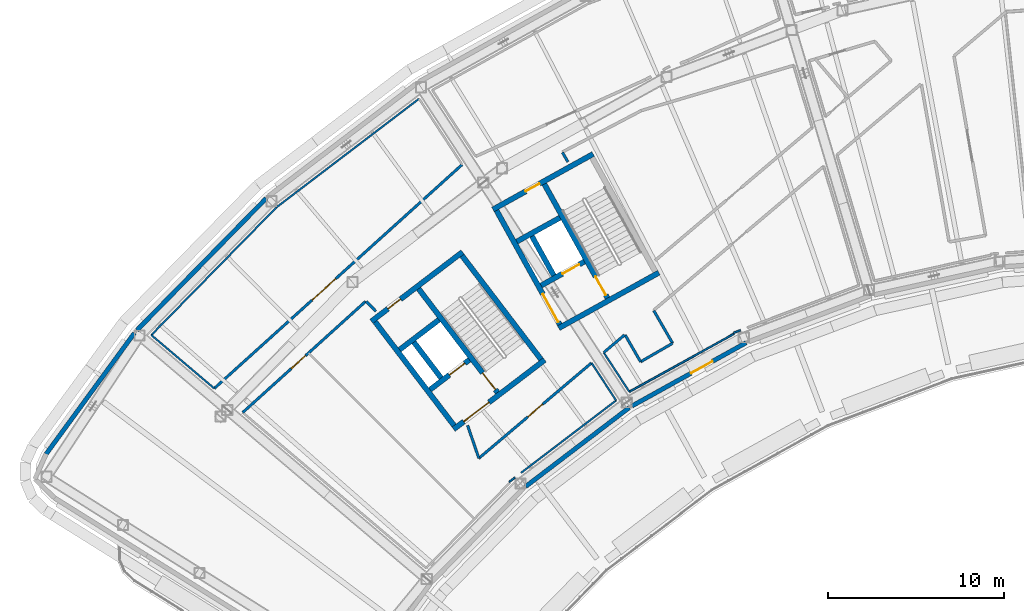
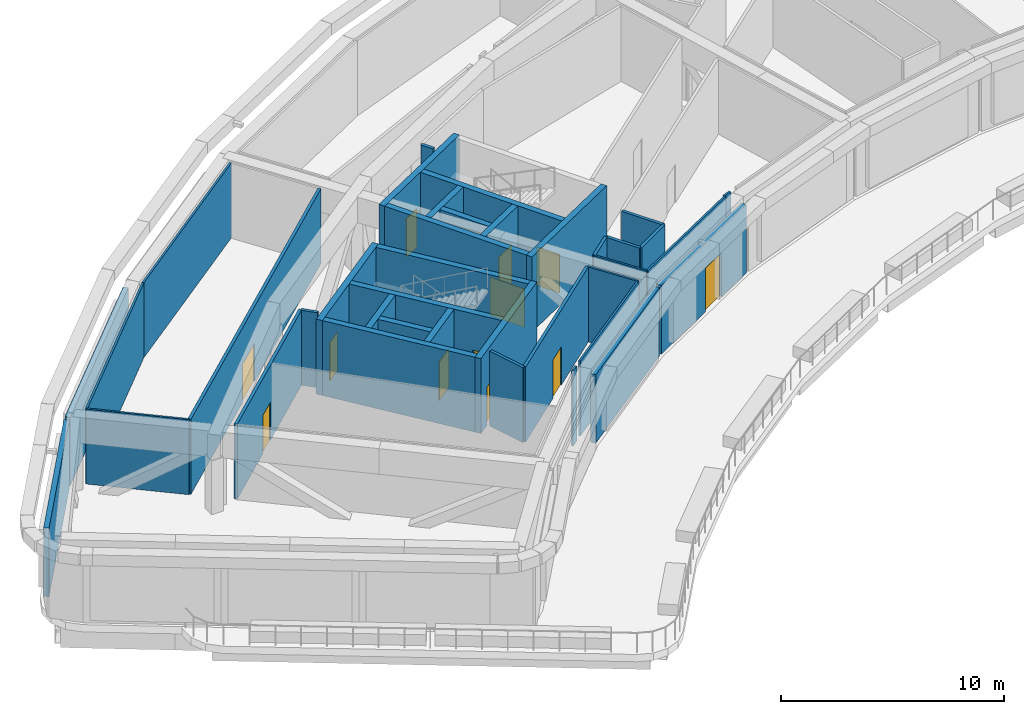
# One storey, part 7 of 24: 38 walls, 12 doors, 12 openings.
"""IFC4 building model written with IfcOpenShell, lengths in metres."""

import ifcopenshell
import ifcopenshell.guid

model = None  # the IFC model being written
_history = None  # IfcOwnerHistory: only IFC2X3 demands one
_inside = {}  # id of a spatial element -> (the spatial element, [elements in it])
_under = {}  # id of a project, library or spatial element -> (it, [spatial elements below it])
_declared = {}  # id of a project -> (the project, [libraries it declares])
_typed = {}  # id of a type object -> (the type object, [elements of that type])
_made_of = {}  # id of a material, layer set ... -> (it, [elements and type objects made of it])


def new_model(schema):
    """Start an empty IFC model of exactly this schema.

    Asked for "IFC4X3", IfcOpenShell would pick the latest addendum, in which some entities
    have other attributes; the version numbers below select the first issue.
    IFC2X3 requires an IfcOwnerHistory on every rooted entity: one is made here for all.
    """
    global model, _history
    if schema == "IFC4X3":
        model = ifcopenshell.file(schema_version=(4, 3, 0, 0))
    else:
        model = ifcopenshell.file(schema=schema)
    _inside.clear()
    _under.clear()
    _declared.clear()
    _typed.clear()
    _made_of.clear()
    _history = None
    if model.schema == "IFC2X3":
        org = make("IfcOrganization", Name="unknown")
        user = make(
            "IfcPersonAndOrganization",
            ThePerson=make("IfcPerson", FamilyName="unknown"),
            TheOrganization=org,
        )
        app = make(
            "IfcApplication",
            ApplicationDeveloper=org,
            Version="unknown",
            ApplicationFullName="unknown",
            ApplicationIdentifier="unknown",
        )
        _history = make(
            "IfcOwnerHistory",
            OwningUser=user,
            OwningApplication=app,
            ChangeAction="ADDED",
            CreationDate=0,
        )
    return model


def make(cls, **values):
    """One entity of the class cls with the attributes given. An attribute that is None is left unset."""
    return model.create_entity(
        cls, **{name: value for name, value in values.items() if value is not None}
    )


def rooted(cls, **values):
    """An entity with a GlobalId (a new one), such as an element, a storey or a relation."""
    return make(cls, GlobalId=ifcopenshell.guid.new(), OwnerHistory=_history, **values)


def si_unit(unit_type, name, prefix=None):
    """IfcSIUnit, for example si_unit("LENGTHUNIT", "METRE", prefix="MILLI")."""
    return make("IfcSIUnit", UnitType=unit_type, Prefix=prefix, Name=name)


def assignment(units):
    """IfcUnitAssignment: the units of a project."""
    return None if units is None else make("IfcUnitAssignment", Units=units)


def point(xyz):
    """IfcCartesianPoint."""
    return None if xyz is None else make("IfcCartesianPoint", Coordinates=xyz)


def direction(xyz):
    """IfcDirection."""
    return None if xyz is None else make("IfcDirection", DirectionRatios=xyz)


def frame(location, z_axis=None, x_axis=None):
    """IfcAxis2Placement3D, a coordinate frame: its origin and axes. An axis left out is left unset."""
    return make(
        "IfcAxis2Placement3D",
        Location=point(location),
        Axis=direction(z_axis),
        RefDirection=direction(x_axis),
    )


def frame_2d(location, x_axis=None):
    """IfcAxis2Placement2D, a coordinate frame in the plane: its origin and x axis."""
    return make(
        "IfcAxis2Placement2D", Location=point(location), RefDirection=direction(x_axis)
    )


def origin():
    """The frame at (0, 0, 0) with its axes left unset."""
    return frame((0.0, 0.0, 0.0))


def place(relative_to, where):
    """IfcLocalPlacement: puts the frame where relative to a parent placement (None: the world)."""
    return make(
        "IfcLocalPlacement", PlacementRelTo=relative_to, RelativePlacement=where
    )


def context(
    kind, dimensions, precision=None, world=None, true_north=None, identifier=None
):
    """IfcGeometricRepresentationContext, for example the 3D "Model" context."""
    return make(
        "IfcGeometricRepresentationContext",
        ContextIdentifier=identifier,
        ContextType=kind,
        CoordinateSpaceDimension=dimensions,
        Precision=precision,
        WorldCoordinateSystem=world,
        TrueNorth=true_north,
    )


def subcontext(parent, identifier, kind, view, scale=None):
    """IfcGeometricRepresentationSubContext, for example "Body" below "Model"."""
    return make(
        "IfcGeometricRepresentationSubContext",
        ContextIdentifier=identifier,
        ContextType=kind,
        ParentContext=parent,
        TargetScale=scale,
        TargetView=view,
    )


def project(units=None, contexts=None):
    """IfcProject with its units and contexts."""
    return rooted(
        "IfcProject",
        Name="project",
        RepresentationContexts=contexts,
        UnitsInContext=assignment(units),
    )


def spatial(cls, under=None, at=None, **own):
    """A site, building, storey or space (cls), placed at a placement, below another one or the project."""
    s = rooted(cls, ObjectPlacement=at, **own)
    if under is not None:
        _under.setdefault(under.id(), (under, []))[1].append(s)
    return s


def profile(cls, at=None, kind="AREA", **sizes):
    """A parametric profile (cls). Its sizes go by their IFC names, for example OverallWidth=200.0."""
    return make(cls, ProfileType=kind, Position=at, **sizes)


def rectangle(**sizes):
    """IfcRectangleProfileDef."""
    return profile("IfcRectangleProfileDef", **sizes)


def extrude(swept, where, along, depth):
    """IfcExtrudedAreaSolid: the profile swept, set in the frame where, extruded along a direction by depth."""
    return make(
        "IfcExtrudedAreaSolid",
        SweptArea=swept,
        Position=where,
        ExtrudedDirection=direction(along),
        Depth=depth,
    )


def shape(context_of_items, identifier, shape_type, items):
    """IfcShapeRepresentation: the items that make up one representation, for example the "Body"."""
    return make(
        "IfcShapeRepresentation",
        ContextOfItems=context_of_items,
        RepresentationIdentifier=identifier,
        RepresentationType=shape_type,
        Items=items,
    )


def material(Name=None, Category=None):
    """IfcMaterial."""
    return make("IfcMaterial", Name=Name, Category=Category)


def layer(
    of_material, thickness, ventilated=None, Name=None, Category=None, Priority=None
):
    """IfcMaterialLayer: one layer of a wall or slab, of a material (None: an air gap)."""
    return make(
        "IfcMaterialLayer",
        Material=of_material,
        LayerThickness=thickness,
        IsVentilated=ventilated,
        Name=Name,
        Category=Category,
        Priority=Priority,
    )


def layer_set(layers, Name=None):
    """IfcMaterialLayerSet."""
    return make("IfcMaterialLayerSet", MaterialLayers=layers, LayerSetName=Name)


def made_of(thing, what):
    """Note that an element or type object is made of a material, layer set ...; save() writes the relation."""
    if what is not None:
        _made_of.setdefault(what.id(), (what, []))[1].append(thing)
    return thing


def type_object(cls, material=None, **own):
    """A type object (cls), such as IfcWallType, which elements share."""
    return made_of(rooted(cls, **own), material)


def element(
    cls,
    number,
    at=None,
    inside=None,
    cuts=None,
    type_object=None,
    material=None,
    context=None,
    identifier="Body",
    shape_type=None,
    held_by="IfcProductDefinitionShape",
    body=None,
    shapes=None,
    **own,
):
    """One element of the class cls, such as IfcWall. Its Tag is "e" and its number.

    at: its placement. inside: the storey or other place that contains it. cuts: it is an
    opening in that element (IfcRelVoidsElement). A single representation is given by context,
    identifier, shape_type and body (its items); several are given by shapes. held_by: the class
    of the entity that holds the representations. save() writes the other relations.
    """
    e = rooted(cls, Tag="e%d" % number, ObjectPlacement=at, **own)
    if body is not None:
        shapes = [shape(context, identifier, shape_type, body)]
    if shapes is not None:
        e.Representation = make(held_by, Representations=shapes)
    if inside is not None:
        _inside.setdefault(inside.id(), (inside, []))[1].append(e)
    if cuts is not None:
        rooted(
            "IfcRelVoidsElement", RelatingBuildingElement=cuts, RelatedOpeningElement=e
        )
    if type_object is not None:
        _typed.setdefault(type_object.id(), (type_object, []))[1].append(e)
    return made_of(e, material)


def fill(opening, filler):
    """IfcRelFillsElement: the door or window that sits in an opening."""
    return rooted(
        "IfcRelFillsElement",
        RelatingOpeningElement=opening,
        RelatedBuildingElement=filler,
    )


def aggregate(whole, parts):
    """IfcRelAggregates: a whole, such as a stair, and the parts it consists of."""
    return rooted("IfcRelAggregates", RelatingObject=whole, RelatedObjects=parts)


def save(model, path):
    """Write the relations noted so far, then the file.

    IfcRelAggregates (storeys below a building ...), IfcRelContainedInSpatialStructure (elements
    in a storey), IfcRelDefinesByType, IfcRelAssociatesMaterial and IfcRelDeclares: one each for
    every whole, place, type object, material and project.
    """
    for whole, parts in _under.values():
        aggregate(whole, parts)
    for where, things in _inside.values():
        rooted(
            "IfcRelContainedInSpatialStructure",
            RelatedElements=things,
            RelatingStructure=where,
        )
    for kind, things in _typed.values():
        rooted("IfcRelDefinesByType", RelatedObjects=things, RelatingType=kind)
    for what, things in _made_of.values():
        rooted("IfcRelAssociatesMaterial", RelatedObjects=things, RelatingMaterial=what)
    for by, libraries in _declared.values():
        rooted("IfcRelDeclares", RelatingContext=by, RelatedDefinitions=libraries)
    model.write(path)


model = new_model("IFC4")

# Units and contexts
model_context = context("Model", 3, precision=1e-05, world=origin(), true_north=direction((0.0, 1.0)))
body_context = subcontext(model_context, "Body", "Model", "MODEL_VIEW")
ifc_project = project(units=[si_unit("LENGTHUNIT", "METRE"), si_unit("AREAUNIT", "SQUARE_METRE"), si_unit("VOLUMEUNIT", "CUBIC_METRE"), si_unit("PLANEANGLEUNIT", "RADIAN"), si_unit("MASSUNIT", "GRAM", prefix="KILO")], contexts=[model_context])

# Site, building, storey
site_placement = place(None, origin())
site = spatial("IfcSite", under=ifc_project, at=site_placement, CompositionType="ELEMENT")
building_placement = place(site_placement, origin())
building = spatial("IfcBuilding", under=site, at=building_placement, Name="Tuul Gate Civic Tower", CompositionType="ELEMENT")
storey_placement = place(building_placement, frame((0.0, 0.0, 315.199951171875)))
storey = spatial("IfcBuildingStorey", under=building, at=storey_placement, Name="Plant and refuge floor 7", CompositionType="ELEMENT", Elevation=315.199951171875)

# Wall, opening, door
ifc_material_1 = material(Name="Concrete C50/60", Category="concrete")
ifc_layer_1 = layer(ifc_material_1, 0.300048828125)
ifc_layer_set_1 = layer_set([ifc_layer_1], Name="Concrete C50/60")
wall_type_1 = type_object("IfcWallType", Name="Core wall C50/60", PredefinedType="SHEAR", material=ifc_layer_set_1)
wall_1_placement = place(storey_placement, frame((-31.19091796875, -13.669677734375, 0.0), z_axis=(0.0, 0.0, 1.0), x_axis=(-0.795606717756, -0.605813461934, 0.0)))
wall_1 = element("IfcWall", 1, at=wall_1_placement, inside=storey, type_object=wall_type_1, Name="Core wall", PredefinedType="SHEAR", context=body_context, shape_type="SweptSolid", body=[
    extrude(rectangle(XDim=6.5, YDim=0.300048828125, at=frame_2d((3.25, 0.0))), origin(), (0.0, 0.0, 1.0), 4.10009765625),
])
opening_1_placement = place(wall_1_placement, frame((3.97509765625, 0.0, 0.0)))
opening_1 = element("IfcOpeningElement", 2, at=opening_1_placement, cuts=wall_1, Name="Opening LB-W1-LOBBY-1", PredefinedType="OPENING", context=body_context, shape_type="SweptSolid", body=[
    extrude(rectangle(XDim=1.800048828125, YDim=2.10009765625, at=frame_2d((0.89990234375, 1.050048828125))), frame((0.0, 0.16015625, 0.0), z_axis=(0.0, -1.0, 0.0), x_axis=(1.0, 0.0, 0.0)), (0.0, 0.0, 1.0), 0.320068359375),
])
ifc_material_2 = material(Name="Steel", Category="steel")
door_type_1 = type_object("IfcDoorType", Name="Lobby door", OperationType="DOUBLE_DOOR_SINGLE_SWING", PredefinedType="DOOR", material=ifc_material_2)
door_1_placement = place(opening_1_placement, origin())
door_1 = element("IfcDoor", 3, at=door_1_placement, inside=storey, type_object=door_type_1, Name="Lobby door W1-LOBBY", OperationType="DOUBLE_DOOR_SINGLE_SWING", OverallHeight=2.10009765625, OverallWidth=1.800048828125, PredefinedType="DOOR", context=body_context, shape_type="SweptSolid", body=[
    extrude(rectangle(XDim=1.800048828125, YDim=2.10009765625, at=frame_2d((0.89990234375, 1.050048828125))), frame((0.0, 0.02490234375, 0.0), z_axis=(0.0, -1.0, 0.0), x_axis=(1.0, 0.0, 0.0)), (0.0, 0.0, 1.0), 0.050048828125),
])
fill(opening_1, door_1)

wall_2_placement = place(storey_placement, frame((-35.470947265625, -13.66064453125, 0.0), z_axis=(0.0, 0.0, 1.0), x_axis=(-0.795615822227, -0.605801504968, 0.0)))
wall_2 = element("IfcWall", 4, at=wall_2_placement, inside=storey, type_object=wall_type_1, Name="Core wall", PredefinedType="SHEAR", context=body_context, shape_type="SweptSolid", body=[
    extrude(rectangle(XDim=2.800048828125, YDim=0.300048828125, at=frame_2d((1.39990234375, 0.0))), origin(), (0.0, 0.0, 1.0), 4.10009765625),
])
opening_2_placement = place(wall_2_placement, frame((0.324951171875, 0.0, 0.0)))
opening_2 = element("IfcOpeningElement", 5, at=opening_2_placement, cuts=wall_2, Name="Opening LD-H1", PredefinedType="OPENING", context=body_context, shape_type="SweptSolid", body=[
    extrude(rectangle(XDim=1.10009765625, YDim=2.10009765625, at=frame_2d((0.550048828125, 1.050048828125))), frame((0.0, 0.16015625, 0.0), z_axis=(0.0, -1.0, 0.0), x_axis=(1.0, 0.0, 0.0)), (0.0, 0.0, 1.0), 0.320068359375),
])
ifc_material_3 = material(Name="Stainless steel", Category="steel")
door_type_2 = type_object("IfcDoorType", Name="Landing door", OperationType="DOUBLE_DOOR_SLIDING", PredefinedType="DOOR", material=ifc_material_3)
door_2_placement = place(opening_2_placement, origin())
door_2 = element("IfcDoor", 6, at=door_2_placement, inside=storey, type_object=door_type_2, Name="High-rise lift H1 landing door", OperationType="DOUBLE_DOOR_SLIDING", OverallHeight=2.10009765625, OverallWidth=1.10009765625, PredefinedType="DOOR", context=body_context, shape_type="SweptSolid", body=[
    extrude(rectangle(XDim=1.10009765625, YDim=2.10009765625, at=frame_2d((0.550048828125, 1.050048828125))), frame((0.0, 0.02490234375, 0.0), z_axis=(0.0, -1.0, 0.0), x_axis=(1.0, 0.0, 0.0)), (0.0, 0.0, 1.0), 0.050048828125),
])
fill(opening_2, door_2)

# Wall
wall_3_placement = place(storey_placement, frame((-37.197509765625, -11.39306640625, 0.0), z_axis=(0.0, 0.0, 1.0), x_axis=(-0.795583820278, -0.605843531707, 0.0)))
element("IfcWall", 7, at=wall_3_placement, inside=storey, type_object=wall_type_1, Name="Core wall", PredefinedType="SHEAR", context=body_context, shape_type="SweptSolid", body=[
    extrude(rectangle(XDim=2.7998046875, YDim=0.300048828125, at=frame_2d((1.39990234375, 0.0))), origin(), (0.0, 0.0, 1.0), 4.10009765625),
])

# Wall, opening, door
wall_4_placement = place(storey_placement, frame((-35.855224609375, -7.543212890625, 0.0), z_axis=(0.0, 0.0, 1.0), x_axis=(-0.79563860527, -0.605771582202, 0.0)))
wall_4 = element("IfcWall", 8, at=wall_4_placement, inside=storey, type_object=wall_type_1, Name="Core wall", PredefinedType="SHEAR", context=body_context, shape_type="SweptSolid", body=[
    extrude(rectangle(XDim=6.5, YDim=0.300048828125, at=frame_2d((3.25, 0.0))), origin(), (0.0, 0.0, 1.0), 4.10009765625),
])
opening_3_placement = place(wall_4_placement, frame((4.425048828125, 0.0, 0.0)))
opening_3 = element("IfcOpeningElement", 9, at=opening_3_placement, cuts=wall_4, Name="Opening PC-D22", PredefinedType="OPENING", context=body_context, shape_type="SweptSolid", body=[
    extrude(rectangle(XDim=0.89990234375, YDim=2.10009765625, at=frame_2d((0.449951171875, 1.050048828125))), frame((0.0, 0.16015625, 0.0), z_axis=(0.0, -1.0, 0.0), x_axis=(1.0, 0.0, 0.0)), (0.0, 0.0, 1.0), 0.320068359375),
])
ifc_material_4 = material(Name="Timber door leaf", Category="wood")
door_type_3 = type_object("IfcDoorType", Name="Door D09", OperationType="NOTDEFINED", PredefinedType="DOOR", material=ifc_material_4)
door_3_placement = place(opening_3_placement, origin())
door_3 = element("IfcDoor", 10, at=door_3_placement, inside=storey, type_object=door_type_3, Name="Door PC-D22", OperationType="SINGLE_SWING_LEFT", OverallHeight=2.10009765625, OverallWidth=0.89990234375, PredefinedType="DOOR", context=body_context, shape_type="SweptSolid", body=[
    extrude(rectangle(XDim=0.89990234375, YDim=2.10009765625, at=frame_2d((0.449951171875, 1.050048828125))), frame((0.0, 0.02490234375, 0.0), z_axis=(0.0, -1.0, 0.0), x_axis=(1.0, 0.0, 0.0)), (0.0, 0.0, 1.0), 0.050048828125),
])
fill(opening_3, door_3)

# Wall
wall_5_placement = place(storey_placement, frame((-31.401123046875, -13.64111328125, 0.0), z_axis=(0.0, 0.0, 1.0), x_axis=(-0.605769822278, 0.795639945213, 0.0)))
element("IfcWall", 11, at=wall_5_placement, inside=storey, type_object=wall_type_1, Name="Core wall", PredefinedType="SHEAR", context=body_context, shape_type="SweptSolid", body=[
    extrude(rectangle(XDim=7.39990234375, YDim=0.300048828125, at=frame_2d((3.699951171875, 0.0))), origin(), (0.0, 0.0, 1.0), 4.10009765625),
])

# Wall, opening, door
wall_6_placement = place(storey_placement, frame((-33.867431640625, -15.51904296875, 0.0), z_axis=(0.0, 0.0, 1.0), x_axis=(-0.605769822278, 0.795639945213, 0.0)))
wall_6 = element("IfcWall", 12, at=wall_6_placement, inside=storey, type_object=wall_type_1, Name="Core wall", PredefinedType="SHEAR", context=body_context, shape_type="SweptSolid", body=[
    extrude(rectangle(XDim=7.39990234375, YDim=0.300048828125, at=frame_2d((3.699951171875, 0.0))), origin(), (0.0, 0.0, 1.0), 4.10009765625),
])
opening_4_placement = place(wall_6_placement, frame((0.199951171875, 0.0, 0.0)))
opening_4 = element("IfcOpeningElement", 13, at=opening_4_placement, cuts=wall_6, Name="Opening SD-ST-1", PredefinedType="OPENING", context=body_context, shape_type="SweptSolid", body=[
    extrude(rectangle(XDim=1.199951171875, YDim=2.10009765625, at=frame_2d((0.60009765625, 1.050048828125))), frame((0.0, 0.16015625, 0.0), z_axis=(0.0, -1.0, 0.0), x_axis=(1.0, 0.0, 0.0)), (0.0, 0.0, 1.0), 0.320068359375),
])
ifc_material_5 = material(Name="Steel", Category="steel")
door_type_4 = type_object("IfcDoorType", Name="Stair door", OperationType="NOTDEFINED", PredefinedType="DOOR", material=ifc_material_5)
door_4_placement = place(opening_4_placement, origin())
door_4 = element("IfcDoor", 14, at=door_4_placement, inside=storey, type_object=door_type_4, Name="Stair door ST-1", OperationType="SINGLE_SWING_LEFT", OverallHeight=2.10009765625, OverallWidth=1.199951171875, PredefinedType="DOOR", context=body_context, shape_type="SweptSolid", body=[
    extrude(rectangle(XDim=1.199951171875, YDim=2.10009765625, at=frame_2d((0.60009765625, 1.050048828125))), frame((0.0, 0.02490234375, 0.0), z_axis=(0.0, -1.0, 0.0), x_axis=(1.0, 0.0, 0.0)), (0.0, 0.0, 1.0), 0.050048828125),
])
fill(opening_4, door_4)

# Walls
wall_7_placement = place(storey_placement, frame((-37.073486328125, -14.6923828125, 0.0), z_axis=(0.0, 0.0, 1.0), x_axis=(-0.605728760074, 0.79567120673, 0.0)))
element("IfcWall", 15, at=wall_7_placement, inside=storey, type_object=wall_type_1, Name="Core wall", PredefinedType="SHEAR", context=body_context, shape_type="SweptSolid", body=[
    extrude(rectangle(XDim=2.550048828125, YDim=0.300048828125, at=frame_2d((1.27490234375, 0.0))), origin(), (0.0, 0.0, 1.0), 4.10009765625),
])
wall_8_placement = place(storey_placement, frame((-36.333984375, -17.397216796875, 0.0), z_axis=(0.0, 0.0, 1.0), x_axis=(-0.605753921168, 0.795652051458, 0.0)))
element("IfcWall", 16, at=wall_8_placement, inside=storey, type_object=wall_type_1, Name="Core wall", PredefinedType="SHEAR", context=body_context, shape_type="SweptSolid", body=[
    extrude(rectangle(XDim=7.400146484375, YDim=0.300048828125, at=frame_2d((3.7001953125, 0.0))), origin(), (0.0, 0.0, 1.0), 4.10009765625),
])
wall_9_placement = place(storey_placement, frame((-24.711669921875, -8.7158203125, 0.0), z_axis=(0.0, 0.0, 1.0), x_axis=(-0.874629909008, -0.484791215132, 0.0)))
element("IfcWall", 17, at=wall_9_placement, inside=storey, type_object=wall_type_1, Name="Core wall", PredefinedType="SHEAR", context=body_context, shape_type="SweptSolid", body=[
    extrude(rectangle(XDim=6.5, YDim=0.300048828125, at=frame_2d((3.25, 0.0))), origin(), (0.0, 0.0, 1.0), 4.10009765625),
])

# Wall, opening, door
wall_10_placement = place(storey_placement, frame((-28.94580078125, -8.090087890625, 0.0), z_axis=(0.0, 0.0, 1.0), x_axis=(-0.874629840737, -0.484791338301, 0.0)))
wall_10 = element("IfcWall", 18, at=wall_10_placement, inside=storey, type_object=wall_type_1, Name="Core wall", PredefinedType="SHEAR", context=body_context, shape_type="SweptSolid", body=[
    extrude(rectangle(XDim=2.800048828125, YDim=0.300048828125, at=frame_2d((1.39990234375, 0.0))), origin(), (0.0, 0.0, 1.0), 4.10009765625),
])
opening_5_placement = place(wall_10_placement, frame((0.324951171875, 0.0, 0.0)))
opening_5 = element("IfcOpeningElement", 19, at=opening_5_placement, cuts=wall_10, Name="Opening LD-FF-1", PredefinedType="OPENING", context=body_context, shape_type="SweptSolid", body=[
    extrude(rectangle(XDim=1.10009765625, YDim=2.10009765625, at=frame_2d((0.550048828125, 1.050048828125))), frame((0.0, 0.16015625, 0.0), z_axis=(0.0, -1.0, 0.0), x_axis=(1.0, 0.0, 0.0)), (0.0, 0.0, 1.0), 0.320068359375),
])
door_5_placement = place(opening_5_placement, origin())
door_5 = element("IfcDoor", 20, at=door_5_placement, inside=storey, type_object=door_type_2, Name="Fire-fighting lift FF-1 landing door", OperationType="DOUBLE_DOOR_SLIDING", OverallHeight=2.10009765625, OverallWidth=1.10009765625, PredefinedType="DOOR", context=body_context, shape_type="SweptSolid", body=[
    extrude(rectangle(XDim=1.10009765625, YDim=2.10009765625, at=frame_2d((0.550048828125, 1.050048828125))), frame((0.0, 0.02490234375, 0.0), z_axis=(0.0, -1.0, 0.0), x_axis=(1.0, 0.0, 0.0)), (0.0, 0.0, 1.0), 0.050048828125),
])
fill(opening_5, door_5)

# Wall
wall_11_placement = place(storey_placement, frame((-30.327392578125, -5.59716796875, 0.0), z_axis=(0.0, 0.0, 1.0), x_axis=(-0.874629840737, -0.484791338301, 0.0)))
element("IfcWall", 21, at=wall_11_placement, inside=storey, type_object=wall_type_1, Name="Core wall", PredefinedType="SHEAR", context=body_context, shape_type="SweptSolid", body=[
    extrude(rectangle(XDim=2.800048828125, YDim=0.300048828125, at=frame_2d((1.39990234375, 0.0))), origin(), (0.0, 0.0, 1.0), 4.10009765625),
])

# Wall, opening, door
wall_12_placement = place(storey_placement, frame((-28.4443359375, -1.98095703125, 0.0), z_axis=(0.0, 0.0, 1.0), x_axis=(-0.874629909008, -0.484791215132, 0.0)))
wall_12 = element("IfcWall", 22, at=wall_12_placement, inside=storey, type_object=wall_type_1, Name="Core wall", PredefinedType="SHEAR", context=body_context, shape_type="SweptSolid", body=[
    extrude(rectangle(XDim=6.5, YDim=0.300048828125, at=frame_2d((3.25, 0.0))), origin(), (0.0, 0.0, 1.0), 4.10009765625),
])
opening_6_placement = place(wall_12_placement, frame((3.47509765625, 0.0, 0.0)))
opening_6 = element("IfcOpeningElement", 23, at=opening_6_placement, cuts=wall_12, Name="Opening PC-D23", PredefinedType="OPENING", context=body_context, shape_type="SweptSolid", body=[
    extrude(rectangle(XDim=0.89990234375, YDim=2.10009765625, at=frame_2d((0.449951171875, 1.050048828125))), frame((0.0, 0.16015625, 0.0), z_axis=(0.0, -1.0, 0.0), x_axis=(1.0, 0.0, 0.0)), (0.0, 0.0, 1.0), 0.320068359375),
])
door_6_placement = place(opening_6_placement, origin())
door_6 = element("IfcDoor", 24, at=door_6_placement, inside=storey, type_object=door_type_3, Name="Door PC-D23", OperationType="SINGLE_SWING_LEFT", OverallHeight=2.10009765625, OverallWidth=0.89990234375, PredefinedType="DOOR", context=body_context, shape_type="SweptSolid", body=[
    extrude(rectangle(XDim=0.89990234375, YDim=2.10009765625, at=frame_2d((0.449951171875, 1.050048828125))), frame((0.0, 0.02490234375, 0.0), z_axis=(0.0, -1.0, 0.0), x_axis=(1.0, 0.0, 0.0)), (0.0, 0.0, 1.0), 0.050048828125),
])
fill(opening_6, door_6)

wall_13_placement = place(storey_placement, frame((-27.626953125, -10.16015625, 0.0), z_axis=(0.0, 0.0, 1.0), x_axis=(-0.484751894226, 0.874651702704, 0.0)))
wall_13 = element("IfcWall", 25, at=wall_13_placement, inside=storey, type_object=wall_type_1, Name="Core wall", PredefinedType="SHEAR", context=body_context, shape_type="SweptSolid", body=[
    extrude(rectangle(XDim=7.39990234375, YDim=0.300048828125, at=frame_2d((3.699951171875, 0.0))), origin(), (0.0, 0.0, 1.0), 4.10009765625),
])
opening_7_placement = place(wall_13_placement, frame((0.199951171875, 0.0, 0.0)))
opening_7 = element("IfcOpeningElement", 26, at=opening_7_placement, cuts=wall_13, Name="Opening SD-ST-2", PredefinedType="OPENING", context=body_context, shape_type="SweptSolid", body=[
    extrude(rectangle(XDim=1.199951171875, YDim=2.10009765625, at=frame_2d((0.60009765625, 1.050048828125))), frame((0.0, 0.16015625, 0.0), z_axis=(0.0, -1.0, 0.0), x_axis=(1.0, 0.0, 0.0)), (0.0, 0.0, 1.0), 0.320068359375),
])
door_7_placement = place(opening_7_placement, origin())
door_7 = element("IfcDoor", 27, at=door_7_placement, inside=storey, type_object=door_type_4, Name="Stair door ST-2", OperationType="SINGLE_SWING_LEFT", OverallHeight=2.10009765625, OverallWidth=1.199951171875, PredefinedType="DOOR", context=body_context, shape_type="SweptSolid", body=[
    extrude(rectangle(XDim=1.199951171875, YDim=2.10009765625, at=frame_2d((0.60009765625, 1.050048828125))), frame((0.0, 0.02490234375, 0.0), z_axis=(0.0, -1.0, 0.0), x_axis=(1.0, 0.0, 0.0)), (0.0, 0.0, 1.0), 0.050048828125),
])
fill(opening_7, door_7)

# Wall
wall_14_placement = place(storey_placement, frame((-30.680419921875, -8.8798828125, 0.0), z_axis=(0.0, 0.0, 1.0), x_axis=(-0.484724115216, 0.874667097888, 0.0)))
element("IfcWall", 28, at=wall_14_placement, inside=storey, type_object=wall_type_1, Name="Core wall", PredefinedType="SHEAR", context=body_context, shape_type="SweptSolid", body=[
    extrude(rectangle(XDim=2.550048828125, YDim=0.300048828125, at=frame_2d((1.27490234375, 0.0))), origin(), (0.0, 0.0, 1.0), 4.10009765625),
])

# Wall, opening, door
wall_15_placement = place(storey_placement, frame((-30.33837890625, -11.6630859375, 0.0), z_axis=(0.0, 0.0, 1.0), x_axis=(-0.484751894226, 0.874651702704, 0.0)))
wall_15 = element("IfcWall", 29, at=wall_15_placement, inside=storey, type_object=wall_type_1, Name="Core wall", PredefinedType="SHEAR", context=body_context, shape_type="SweptSolid", body=[
    extrude(rectangle(XDim=7.39990234375, YDim=0.300048828125, at=frame_2d((3.699951171875, 0.0))), origin(), (0.0, 0.0, 1.0), 4.10009765625),
])
opening_8_placement = place(wall_15_placement, frame((0.175048828125, 0.0, 0.0)))
opening_8 = element("IfcOpeningElement", 30, at=opening_8_placement, cuts=wall_15, Name="Opening LB-W2-FLOBBY-1", PredefinedType="OPENING", context=body_context, shape_type="SweptSolid", body=[
    extrude(rectangle(XDim=1.800048828125, YDim=2.10009765625, at=frame_2d((0.89990234375, 1.050048828125))), frame((0.0, 0.16015625, 0.0), z_axis=(0.0, -1.0, 0.0), x_axis=(1.0, 0.0, 0.0)), (0.0, 0.0, 1.0), 0.320068359375),
])
door_8_placement = place(opening_8_placement, origin())
door_8 = element("IfcDoor", 31, at=door_8_placement, inside=storey, type_object=door_type_1, Name="Lobby door W2-FLOBBY", OperationType="DOUBLE_DOOR_SINGLE_SWING", OverallHeight=2.10009765625, OverallWidth=1.800048828125, PredefinedType="DOOR", context=body_context, shape_type="SweptSolid", body=[
    extrude(rectangle(XDim=1.800048828125, YDim=2.10009765625, at=frame_2d((0.89990234375, 1.050048828125))), frame((0.0, 0.02490234375, 0.0), z_axis=(0.0, -1.0, 0.0), x_axis=(1.0, 0.0, 0.0)), (0.0, 0.0, 1.0), 0.050048828125),
])
fill(opening_8, door_8)

ifc_material_6 = material(Name="Gypsum board partition")
ifc_layer_2 = layer(ifc_material_6, 0.14990234375)
ifc_layer_set_2 = layer_set([ifc_layer_2], Name="Gypsum board partition")
wall_type_2 = type_object("IfcWallType", Name="Corridor wall P150", PredefinedType="PARTITIONING", material=ifc_layer_set_2)
wall_16_placement = place(storey_placement, frame((-34.927978515625, -19.252197265625, 0.0), z_axis=(0.0, 0.0, 1.0), x_axis=(0.763206096885, 0.646155131278, 0.0)))
wall_16 = element("IfcWall", 32, at=wall_16_placement, inside=storey, type_object=wall_type_2, Name="p047", PredefinedType="PARTITIONING", context=body_context, shape_type="SweptSolid", body=[
    extrude(rectangle(XDim=8.37841796875, YDim=0.14990234375, at=frame_2d((4.189208984375, 0.0))), origin(), (0.0, 0.0, 1.0), 4.10009765625),
])
opening_9_placement = place(wall_16_placement, frame((3.639404296875, 0.0, 0.0)))
opening_9 = element("IfcOpeningElement", 33, at=opening_9_placement, cuts=wall_16, Name="Opening PC-D19", PredefinedType="OPENING", context=body_context, shape_type="SweptSolid", body=[
    extrude(rectangle(XDim=1.10009765625, YDim=2.10009765625, at=frame_2d((0.550048828125, 1.050048828125))), frame((0.0, 0.0849609375, 0.0), z_axis=(0.0, -1.0, 0.0), x_axis=(1.0, 0.0, 0.0)), (0.0, 0.0, 1.0), 0.169921875),
])
ifc_material_7 = material(Name="Timber door leaf", Category="wood")
door_type_5 = type_object("IfcDoorType", Name="Door D11", OperationType="NOTDEFINED", PredefinedType="DOOR", material=ifc_material_7)
door_9_placement = place(opening_9_placement, frame((1.10009765625, 0.0, 0.0), z_axis=(0.0, 0.0, 1.0), x_axis=(-1.0, 0.0, 0.0)))
door_9 = element("IfcDoor", 34, at=door_9_placement, inside=storey, type_object=door_type_5, Name="Door PC-D19", OperationType="SINGLE_SWING_LEFT", OverallHeight=2.10009765625, OverallWidth=1.10009765625, PredefinedType="DOOR", context=body_context, shape_type="SweptSolid", body=[
    extrude(rectangle(XDim=1.10009765625, YDim=2.10009765625, at=frame_2d((0.550048828125, 1.050048828125))), frame((0.0, 0.02490234375, 0.0), z_axis=(0.0, -1.0, 0.0), x_axis=(1.0, 0.0, 0.0)), (0.0, 0.0, 1.0), 0.050048828125),
])
fill(opening_9, door_9)

# Walls
wall_17_placement = place(storey_placement, frame((-27.84130859375, -13.252197265625, 0.0), z_axis=(0.0, 0.0, 1.0), x_axis=(0.763284814994, 0.646062141902, 0.0)))
element("IfcWall", 35, at=wall_17_placement, inside=storey, type_object=wall_type_2, Name="p048", PredefinedType="PARTITIONING", context=body_context, shape_type="SweptSolid", body=[
    extrude(rectangle(XDim=1.551513671875, YDim=0.14990234375, at=frame_2d((0.77587890625, 0.0))), origin(), (0.0, 0.0, 1.0), 4.10009765625),
])
wall_18_placement = place(storey_placement, frame((-26.626708984375, -12.2548828125, 0.0), z_axis=(0.0, 0.0, 1.0), x_axis=(0.499834851765, -0.866120731169, 0.0)))
element("IfcWall", 36, at=wall_18_placement, inside=storey, type_object=wall_type_2, Name="p058", PredefinedType="PARTITIONING", context=body_context, shape_type="SweptSolid", body=[
    extrude(rectangle(XDim=1.7548828125, YDim=0.14990234375, at=frame_2d((0.87744140625, 0.0))), origin(), (0.0, 0.0, 1.0), 4.10009765625),
])
wall_19_placement = place(storey_placement, frame((-25.748779296875, -13.77490234375, 0.0), z_axis=(0.0, 0.0, 1.0), x_axis=(0.866073252199, 0.499917114955, 0.0)))
element("IfcWall", 37, at=wall_19_placement, inside=storey, type_object=wall_type_2, Name="p059", PredefinedType="PARTITIONING", context=body_context, shape_type="SweptSolid", body=[
    extrude(rectangle(XDim=2.098876953125, YDim=0.14990234375, at=frame_2d((1.04931640625, 0.0))), origin(), (0.0, 0.0, 1.0), 4.10009765625),
])
wall_20_placement = place(storey_placement, frame((-30.184814453125, -1.892333984375, 0.0), z_axis=(0.0, 0.0, 1.0), x_axis=(0.500028703312, -0.866008831286, 0.0)))
element("IfcWall", 38, at=wall_20_placement, inside=storey, type_object=wall_type_2, Name="p060", PredefinedType="PARTITIONING", context=body_context, shape_type="SweptSolid", body=[
    extrude(rectangle(XDim=0.62109375, YDim=0.14990234375, at=frame_2d((0.310546875, 0.0))), origin(), (0.0, 0.0, 1.0), 4.10009765625),
])
wall_21_placement = place(storey_placement, frame((-25.001708984375, -10.869873046875, 0.0), z_axis=(0.0, 0.0, 1.0), x_axis=(0.500025017116, -0.866010959664, 0.0)))
element("IfcWall", 39, at=wall_21_placement, inside=storey, type_object=wall_type_2, Name="p061", PredefinedType="PARTITIONING", context=body_context, shape_type="SweptSolid", body=[
    extrude(rectangle(XDim=2.14208984375, YDim=0.14990234375, at=frame_2d((1.071044921875, 0.0))), origin(), (0.0, 0.0, 1.0), 4.10009765625),
])

# Wall, opening, door
wall_22_placement = place(storey_placement, frame((-49.946044921875, -15.286865234375, 0.0), z_axis=(0.0, 0.0, 1.0), x_axis=(0.742202269438, 0.670175940512, 0.0)))
wall_22 = element("IfcWall", 40, at=wall_22_placement, inside=storey, type_object=wall_type_2, Name="p066", PredefinedType="PARTITIONING", context=body_context, shape_type="SweptSolid", body=[
    extrude(rectangle(XDim=18.951171875, YDim=0.14990234375, at=frame_2d((9.4755859375, 0.0))), origin(), (0.0, 0.0, 1.0), 4.10009765625),
])
opening_10_placement = place(wall_22_placement, frame((7.47607421875, 0.0, 0.0)))
opening_10 = element("IfcOpeningElement", 41, at=opening_10_placement, cuts=wall_22, Name="Opening PC-D18", PredefinedType="OPENING", context=body_context, shape_type="SweptSolid", body=[
    extrude(rectangle(XDim=1.800048828125, YDim=2.10009765625, at=frame_2d((0.89990234375, 1.050048828125))), frame((0.0, 0.0849609375, 0.0), z_axis=(0.0, -1.0, 0.0), x_axis=(1.0, 0.0, 0.0)), (0.0, 0.0, 1.0), 0.169921875),
])
ifc_material_8 = material(Name="Timber door leaf, double", Category="wood")
door_type_6 = type_object("IfcDoorType", Name="Door D18", OperationType="DOUBLE_DOOR_SINGLE_SWING", PredefinedType="DOOR", material=ifc_material_8)
door_10_placement = place(opening_10_placement, origin())
door_10 = element("IfcDoor", 42, at=door_10_placement, inside=storey, type_object=door_type_6, Name="Door PC-D18", OperationType="DOUBLE_DOOR_SINGLE_SWING", OverallHeight=2.10009765625, OverallWidth=1.800048828125, PredefinedType="DOOR", context=body_context, shape_type="SweptSolid", body=[
    extrude(rectangle(XDim=1.800048828125, YDim=2.10009765625, at=frame_2d((0.89990234375, 1.050048828125))), frame((0.0, 0.02490234375, 0.0), z_axis=(0.0, -1.0, 0.0), x_axis=(1.0, 0.0, 0.0)), (0.0, 0.0, 1.0), 0.050048828125),
])
fill(opening_10, door_10)

# Wall
wall_23_placement = place(storey_placement, frame((-35.5703125, -17.3818359375, 0.0), z_axis=(0.0, 0.0, 1.0), x_axis=(0.324513736836, -0.945880983319, 0.0)))
element("IfcWall", 43, at=wall_23_placement, inside=storey, type_object=wall_type_2, Name="p068", PredefinedType="PARTITIONING", context=body_context, shape_type="SweptSolid", body=[
    extrude(rectangle(XDim=1.97705078125, YDim=0.14990234375, at=frame_2d((0.988525390625, 0.0))), origin(), (0.0, 0.0, 1.0), 4.10009765625),
])

# Wall, opening, door
wall_24_placement = place(storey_placement, frame((-48.332763671875, -16.654541015625, 0.0), z_axis=(0.0, 0.0, 1.0), x_axis=(0.74177610727, 0.670647602459, 0.0)))
wall_24 = element("IfcWall", 44, at=wall_24_placement, inside=storey, type_object=wall_type_2, Name="p069", PredefinedType="PARTITIONING", context=body_context, shape_type="SweptSolid", body=[
    extrude(rectangle(XDim=9.408203125, YDim=0.14990234375, at=frame_2d((4.7041015625, 0.0))), origin(), (0.0, 0.0, 1.0), 4.10009765625),
])
opening_11_placement = place(wall_24_placement, frame((3.716064453125, 0.0, 0.0)))
opening_11 = element("IfcOpeningElement", 45, at=opening_11_placement, cuts=wall_24, Name="Opening PC-D20", PredefinedType="OPENING", context=body_context, shape_type="SweptSolid", body=[
    extrude(rectangle(XDim=1.10009765625, YDim=2.10009765625, at=frame_2d((0.550048828125, 1.050048828125))), frame((0.0, 0.0849609375, 0.0), z_axis=(0.0, -1.0, 0.0), x_axis=(1.0, 0.0, 0.0)), (0.0, 0.0, 1.0), 0.169921875),
])
door_11_placement = place(opening_11_placement, frame((1.10009765625, 0.0, 0.0), z_axis=(0.0, 0.0, 1.0), x_axis=(-1.0, 0.0, 0.0)))
door_11 = element("IfcDoor", 46, at=door_11_placement, inside=storey, type_object=door_type_5, Name="Door PC-D20", OperationType="SINGLE_SWING_LEFT", OverallHeight=2.10009765625, OverallWidth=1.10009765625, PredefinedType="DOOR", context=body_context, shape_type="SweptSolid", body=[
    extrude(rectangle(XDim=1.10009765625, YDim=2.10009765625, at=frame_2d((0.550048828125, 1.050048828125))), frame((0.0, 0.02490234375, 0.0), z_axis=(0.0, -1.0, 0.0), x_axis=(1.0, 0.0, 0.0)), (0.0, 0.0, 1.0), 0.050048828125),
])
fill(opening_11, door_11)

# Walls
wall_25_placement = place(storey_placement, frame((-41.326416015625, -10.345703125, 0.0), z_axis=(0.0, 0.0, 1.0), x_axis=(0.700281300398, -0.713867004639, 0.0)))
element("IfcWall", 47, at=wall_25_placement, inside=storey, type_object=wall_type_2, Name="p070", PredefinedType="PARTITIONING", context=body_context, shape_type="SweptSolid", body=[
    extrude(rectangle(XDim=0.790771484375, YDim=0.14990234375, at=frame_2d((0.3955078125, 0.0))), origin(), (0.0, 0.0, 1.0), 4.10009765625),
])
ifc_material_9 = material(Name="Precast concrete C40/50", Category="concrete")
ifc_layer_3 = layer(ifc_material_9, 0.25)
ifc_layer_set_3 = layer_set([ifc_layer_3], Name="Precast concrete C40/50")
wall_type_3 = type_object("IfcWallType", Name="External wall", PredefinedType="STANDARD", material=ifc_layer_set_3)
wall_26_placement = place(storey_placement, frame((-47.006103515625, -4.505615234375, 0.0), z_axis=(0.0, 0.0, 1.0), x_axis=(-0.700035068633, -0.71410846703, 0.0)))
element("IfcWall", 48, at=wall_26_placement, inside=storey, type_object=wall_type_3, Name="External wall", PredefinedType="STANDARD", context=body_context, shape_type="SweptSolid", body=[
    extrude(rectangle(XDim=10.47802734375, YDim=0.25, at=frame_2d((5.239013671875, 0.0))), origin(), (0.0, 0.0, 1.0), 3.75),
])
wall_27_placement = place(storey_placement, frame((-54.47998046875, -12.147705078125, 0.0), z_axis=(0.0, 0.0, 1.0), x_axis=(-0.589757523793, -0.807580375647, 0.0)))
element("IfcWall", 49, at=wall_27_placement, inside=storey, type_object=wall_type_3, Name="External wall", PredefinedType="STANDARD", context=body_context, shape_type="SweptSolid", body=[
    extrude(rectangle(XDim=8.507080078125, YDim=0.25, at=frame_2d((4.25341796875, 0.0))), origin(), (0.0, 0.0, 1.0), 3.75),
])
wall_28_placement = place(storey_placement, frame((-32.27490234375, -20.856201171875, 0.0), z_axis=(0.0, 0.0, 1.0), x_axis=(0.79556887643, 0.605863155222, 0.0)))
element("IfcWall", 50, at=wall_28_placement, inside=storey, type_object=wall_type_3, Name="External wall", PredefinedType="STANDARD", context=body_context, shape_type="SweptSolid", body=[
    extrude(rectangle(XDim=7.394775390625, YDim=0.25, at=frame_2d((3.697265625, 0.0))), origin(), (0.0, 0.0, 1.0), 3.75),
])

# Wall, opening, door
wall_29_placement = place(storey_placement, frame((-26.235107421875, -16.28173828125, 0.0), z_axis=(0.0, 0.0, 1.0), x_axis=(0.874627082256, 0.484796314945, 0.0)))
wall_29 = element("IfcWall", 51, at=wall_29_placement, inside=storey, type_object=wall_type_3, Name="External wall", PredefinedType="STANDARD", context=body_context, shape_type="SweptSolid", body=[
    extrude(rectangle(XDim=7.396240234375, YDim=0.25, at=frame_2d((3.6982421875, 0.0))), origin(), (0.0, 0.0, 1.0), 3.75),
])
opening_12_placement = place(wall_29_placement, frame((3.8330078125, 0.0, 0.0)))
opening_12 = element("IfcOpeningElement", 52, at=opening_12_placement, cuts=wall_29, Name="Opening TD", PredefinedType="OPENING", context=body_context, shape_type="SweptSolid", body=[
    extrude(rectangle(XDim=1.39990234375, YDim=2.39990234375, at=frame_2d((0.699951171875, 1.199951171875))), frame((0.0, 0.135009765625, 0.0), z_axis=(0.0, -1.0, 0.0), x_axis=(1.0, 0.0, 0.0)), (0.0, 0.0, 1.0), 0.27001953125),
])
ifc_material_10 = material(Name="Glazed aluminium", Category="aluminium")
door_type_7 = type_object("IfcDoorType", Name="Terrace door", OperationType="DOUBLE_DOOR_SINGLE_SWING", PredefinedType="DOOR", material=ifc_material_10)
door_12_placement = place(opening_12_placement, frame((1.39990234375, 0.0, 0.0), z_axis=(0.0, 0.0, 1.0), x_axis=(-1.0, 0.0, 0.0)))
door_12 = element("IfcDoor", 53, at=door_12_placement, inside=storey, type_object=door_type_7, Name="Terrace door", OperationType="DOUBLE_DOOR_SINGLE_SWING", OverallHeight=2.39990234375, OverallWidth=1.39990234375, PredefinedType="DOOR", context=body_context, shape_type="SweptSolid", body=[
    extrude(rectangle(XDim=1.39990234375, YDim=2.39990234375, at=frame_2d((0.699951171875, 1.199951171875))), frame((0.0, 0.02490234375, 0.0), z_axis=(0.0, -1.0, 0.0), x_axis=(1.0, 0.0, 0.0)), (0.0, 0.0, 1.0), 0.050048828125),
])
fill(opening_12, door_12)

# Walls
ifc_material_11 = material(Name="Gypsum board partition")
ifc_layer_4 = layer(ifc_material_11, 0.10009765625)
ifc_layer_set_4 = layer_set([ifc_layer_4], Name="Gypsum board partition")
wall_type_4 = type_object("IfcWallType", Name="Partition P100", PredefinedType="PARTITIONING", material=ifc_layer_set_4)
wall_30_placement = place(storey_placement, frame((-20.084716796875, -11.986572265625, 0.0), z_axis=(0.0, 0.0, 1.0), x_axis=(-0.93529148989, -0.353878268532, 0.0)))
element("IfcWall", 54, at=wall_30_placement, inside=storey, type_object=wall_type_4, Name="p120", PredefinedType="PARTITIONING", context=body_context, shape_type="SweptSolid", body=[
    extrude(rectangle(XDim=0.41748046875, YDim=0.10009765625, at=frame_2d((0.208740234375, 0.0))), origin(), (0.0, 0.0, 1.0), 4.10009765625),
])
wall_31_placement = place(storey_placement, frame((-20.45361328125, -12.191162109375, 0.0), z_axis=(0.0, 0.0, 1.0), x_axis=(-0.874655915919, -0.484744292125, 0.0)))
element("IfcWall", 55, at=wall_31_placement, inside=storey, type_object=wall_type_4, Name="p121", PredefinedType="PARTITIONING", context=body_context, shape_type="SweptSolid", body=[
    extrude(rectangle(XDim=6.78369140625, YDim=0.10009765625, at=frame_2d((3.391845703125, 0.0))), origin(), (0.0, 0.0, 1.0), 4.10009765625),
])
wall_32_placement = place(storey_placement, frame((-26.386962890625, -15.4794921875, 0.0), z_axis=(0.0, 0.0, 1.0), x_axis=(-0.546732438353, 0.837307375372, 0.0)))
element("IfcWall", 56, at=wall_32_placement, inside=storey, type_object=wall_type_4, Name="p122", PredefinedType="PARTITIONING", context=body_context, shape_type="SweptSolid", body=[
    extrude(rectangle(XDim=2.66015625, YDim=0.10009765625, at=frame_2d((1.330078125, 0.0))), origin(), (0.0, 0.0, 1.0), 4.10009765625),
])
wall_33_placement = place(storey_placement, frame((-49.946044921875, -15.286865234375, 0.0), z_axis=(0.0, 0.0, 1.0), x_axis=(-0.762842450908, 0.646584406781, 0.0)))
element("IfcWall", 57, at=wall_33_placement, inside=storey, type_object=wall_type_4, Name="p129", PredefinedType="PARTITIONING", context=body_context, shape_type="SweptSolid", body=[
    extrude(rectangle(XDim=4.68505859375, YDim=0.10009765625, at=frame_2d((2.342529296875, 0.0))), origin(), (0.0, 0.0, 1.0), 4.10009765625),
])
wall_34_placement = place(storey_placement, frame((-53.52001953125, -12.257568359375, 0.0), z_axis=(0.0, 0.0, 1.0), x_axis=(0.699995254474, 0.71414749437, 0.0)))
element("IfcWall", 58, at=wall_34_placement, inside=storey, type_object=wall_type_4, Name="p130", PredefinedType="PARTITIONING", context=body_context, shape_type="SweptSolid", body=[
    extrude(rectangle(XDim=10.160888671875, YDim=0.10009765625, at=frame_2d((5.08056640625, 0.0))), origin(), (0.0, 0.0, 1.0), 4.10009765625),
])
wall_35_placement = place(storey_placement, frame((-46.407470703125, -5.001220703125, 0.0), z_axis=(0.0, 0.0, 1.0), x_axis=(0.795674882228, 0.605723931994, 0.0)))
element("IfcWall", 59, at=wall_35_placement, inside=storey, type_object=wall_type_4, Name="p131", PredefinedType="PARTITIONING", context=body_context, shape_type="SweptSolid", body=[
    extrude(rectangle(XDim=10.161376953125, YDim=0.10009765625, at=frame_2d((5.08056640625, 0.0))), origin(), (0.0, 0.0, 1.0), 4.10009765625),
])
wall_36_placement = place(storey_placement, frame((-28.533447265625, -13.83837890625, 0.0), z_axis=(0.0, 0.0, 1.0), x_axis=(0.546735428408, -0.837305422963, 0.0)))
element("IfcWall", 60, at=wall_36_placement, inside=storey, type_object=wall_type_4, Name="p133", PredefinedType="PARTITIONING", context=body_context, shape_type="SweptSolid", body=[
    extrude(rectangle(XDim=2.547607421875, YDim=0.10009765625, at=frame_2d((1.27392578125, 0.0))), origin(), (0.0, 0.0, 1.0), 4.10009765625),
])
wall_37_placement = place(storey_placement, frame((-27.140625, -15.971435546875, 0.0), z_axis=(0.0, 0.0, 1.0), x_axis=(-0.795608473432, -0.605811156222, 0.0)))
element("IfcWall", 61, at=wall_37_placement, inside=storey, type_object=wall_type_4, Name="p134", PredefinedType="PARTITIONING", context=body_context, shape_type="SweptSolid", body=[
    extrude(rectangle(XDim=6.7841796875, YDim=0.10009765625, at=frame_2d((3.39208984375, 0.0))), origin(), (0.0, 0.0, 1.0), 4.10009765625),
])
wall_38_placement = place(storey_placement, frame((-32.87353515625, -20.336669921875, 0.0), z_axis=(0.0, 0.0, 1.0), x_axis=(-0.795485425099, -0.605972720884, 0.0)))
element("IfcWall", 62, at=wall_38_placement, inside=storey, type_object=wall_type_4, Name="p135", PredefinedType="PARTITIONING", context=body_context, shape_type="SweptSolid", body=[
    extrude(rectangle(XDim=0.41748046875, YDim=0.10009765625, at=frame_2d((0.208740234375, 0.0))), origin(), (0.0, 0.0, 1.0), 4.10009765625),
])

save(model, "model.ifc")
